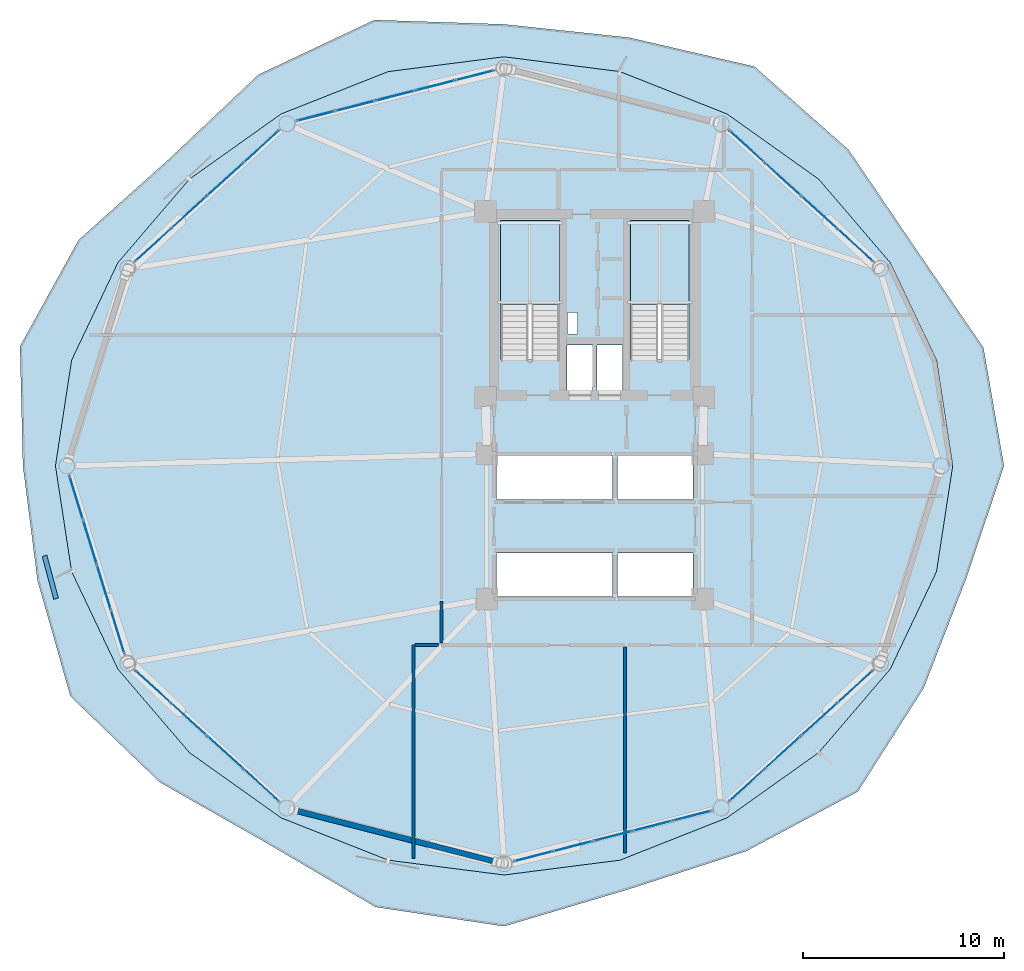
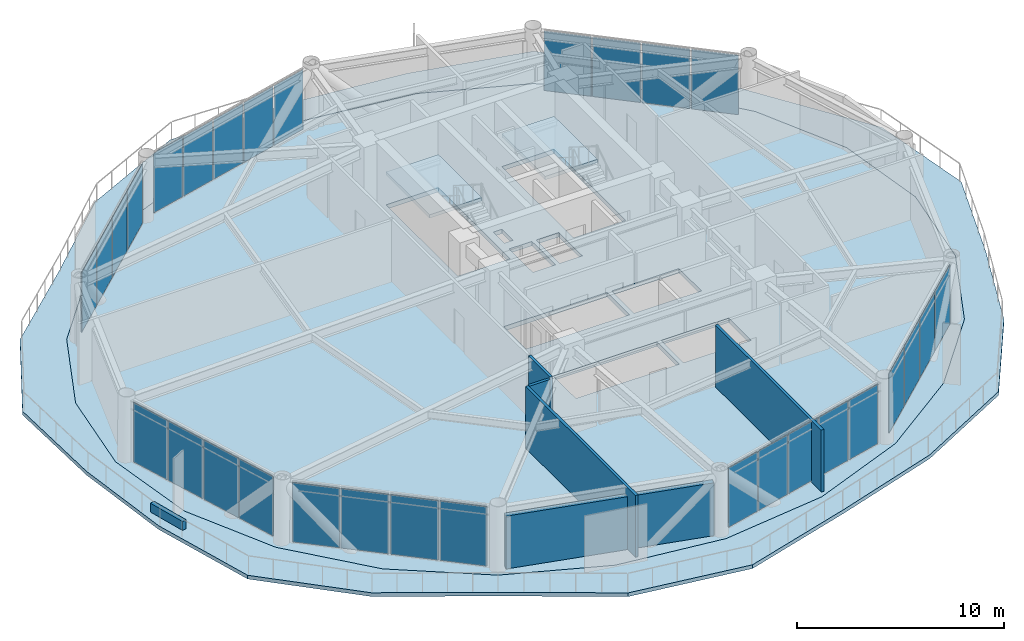
# One storey, part 20 of 26: 30 plates, 6 walls, 4 slabs, 9 elements without a shape of their own.
"""IFC4 building model written with IfcOpenShell, lengths in metres."""

from ifc_helpers import new_model, si_unit, direction, frame, frame_2d, origin, origin_2d, place, context, subcontext, project, spatial, polyline, rectangle, outline, extrude, source, transform, mapped, material, layer, layer_set, type_object, type_shapes, element, aggregate, save


model = new_model("IFC4")

# Units and contexts
model_context = context("Model", 3, precision=1e-05, world=origin(), true_north=direction((0.0, 1.0)))
body_context = subcontext(model_context, "Body", "Model", "MODEL_VIEW")
ifc_project = project(units=[si_unit("LENGTHUNIT", "METRE"), si_unit("AREAUNIT", "SQUARE_METRE"), si_unit("VOLUMEUNIT", "CUBIC_METRE"), si_unit("PLANEANGLEUNIT", "RADIAN"), si_unit("MASSUNIT", "GRAM", prefix="KILO")], contexts=[model_context])

# Site, building, storey
site_placement = place(None, origin())
site = spatial("IfcSite", under=ifc_project, at=site_placement, CompositionType="ELEMENT")
building_placement = place(site_placement, origin())
building = spatial("IfcBuilding", under=site, at=building_placement, Name="Varnakorn Sky Granary", CompositionType="ELEMENT")
storey_placement = place(building_placement, frame((0.0, 0.0, 95.39990234375)))
storey = spatial("IfcBuildingStorey", under=building, at=storey_placement, Name="L23", CompositionType="ELEMENT", Elevation=95.39990234375)

# Stair, slab
ifc_material_1 = material(Name="Concrete C40/50", Category="concrete")
stair_type = type_object("IfcStairType", Name="ST-MAIN-ASSEMBLY", PredefinedType="HALF_TURN_STAIR", material=ifc_material_1)
stair_1_placement = place(storey_placement, origin())
stair_1 = element("IfcStair", 1, at=stair_1_placement, inside=storey, type_object=stair_type, Name="L23 Protected Exit Stair ST-1", PredefinedType="HALF_TURN_STAIR")
ifc_layer_1 = layer(ifc_material_1, 0.199951171875, Name="Concrete C40/50")
ifc_layer_set_1 = layer_set([ifc_layer_1], Name="Concrete C40/50")
slab_type_1 = type_object("IfcSlabType", Name="ST-MAIN-LAND", PredefinedType="LANDING", material=ifc_layer_set_1)
slab_1_placement = place(storey_placement, frame((0.0, 0.0, 1.75)))
slab_1 = element("IfcSlab", 2, at=slab_1_placement, type_object=slab_type_1, Name="ST-1 landing 1", PredefinedType="LANDING", context=body_context, shape_type="SweptSolid", body=[
    extrude(outline(polyline([(1.239990234375, 8.0), (1.239990234375, 12.179931640625), (-1.669921875, 12.179931640625), (-1.669921875, 8.0), (1.239990234375, 8.0)])), origin(), (0.0, 0.0, 1.0), 0.2001953125),
])
aggregate(stair_1, [slab_1])

stair_2_placement = place(storey_placement, origin())
stair_2 = element("IfcStair", 3, at=stair_2_placement, inside=storey, type_object=stair_type, Name="L23 Protected Exit Stair ST-2", PredefinedType="HALF_TURN_STAIR")
slab_2_placement = place(storey_placement, frame((0.0, 0.0, 1.75)))
slab_2 = element("IfcSlab", 4, at=slab_2_placement, type_object=slab_type_1, Name="ST-2 landing 1", PredefinedType="LANDING", context=body_context, shape_type="SweptSolid", body=[
    extrude(outline(polyline([(7.679931640625, 8.0), (7.679931640625, 12.179931640625), (4.77001953125, 12.179931640625), (4.77001953125, 8.0), (7.679931640625, 8.0)])), origin(), (0.0, 0.0, 1.0), 0.2001953125),
])
aggregate(stair_2, [slab_2])

# Slabs
ifc_material_2 = material(Name="Precast concrete C40/50", Category="concrete")
ifc_layer_2 = layer(ifc_material_2, 0.219970703125, Name="Precast concrete C40/50")
ifc_layer_set_2 = layer_set([ifc_layer_2], Name="Precast concrete C40/50")
slab_type_2 = type_object("IfcSlabType", Name="ST-SL-DECK-220", PredefinedType="FLOOR", material=ifc_layer_set_2)
slab_3_placement = place(storey_placement, frame((0.0, 0.0, -0.219970703125)))
element("IfcSlab", 5, at=slab_3_placement, inside=storey, type_object=slab_type_2, Name="Wavy Sky-Farm Balcony Deck L23", PredefinedType="FLOOR", context=body_context, shape_type="SweptSolid", body=[
    extrude(outline(polyline([(23.313720703125, 0.0), (22.292724609375, 5.867431640625), (18.916015625, 10.80615234375), (15.588623046875, 15.701416015625), (10.9248046875, 19.8212890625), (4.704345703125, 21.260009765625), (-1.5, 21.918212890625), (-7.937744140625, 22.130859375), (-13.69140625, 19.4169921875), (-18.1220703125, 15.234619140625), (-22.6162109375, 11.21044921875), (-25.52587890625, 5.929931640625), (-25.38037109375, 0.0), (-24.6552734375, -5.696533203125), (-23.020263671875, -11.44384765625), (-18.588623046875, -15.701416015625), (-13.287109375, -18.717041015625), (-7.875244140625, -21.8974609375), (-1.5, -22.851806640625), (4.641845703125, -21.026611328125), (10.5205078125, -19.12109375), (16.055419921875, -16.16796875), (19.3203125, -11.03955078125), (21.421875, -5.634033203125), (23.313720703125, 0.0)]), holes=[polyline([(20.76708984375, 0.0), (19.96484375, 5.24365234375), (17.6669921875, 10.0849609375), (14.117919921875, 14.23046875), (9.56591796875, 17.4677734375), (4.25146484375, 19.569580078125), (-1.5, 20.304931640625), (-7.25146484375, 19.569580078125), (-12.56591796875, 17.4677734375), (-17.117919921875, 14.23046875), (-20.6669921875, 10.0849609375), (-22.96484375, 5.24365234375), (-23.76708984375, 0.0), (-22.96484375, -5.24365234375), (-20.6669921875, -10.0849609375), (-17.117919921875, -14.23046875), (-12.56591796875, -17.4677734375), (-7.25146484375, -19.569580078125), (-1.5, -20.304931640625), (4.25146484375, -19.569580078125), (9.56591796875, -17.4677734375), (14.117919921875, -14.23046875), (17.6669921875, -10.0849609375), (19.96484375, -5.24365234375), (20.76708984375, 0.0)])]), origin(), (0.0, 0.0, 1.0), 0.219970703125),
])
ifc_material_3 = material(Name="Concrete C50/60", Category="concrete")
ifc_layer_3 = layer(ifc_material_3, 0.260009765625, Name="Concrete C50/60")
ifc_layer_set_3 = layer_set([ifc_layer_3], Name="Concrete C50/60")
slab_type_3 = type_object("IfcSlabType", Name="ST-SL-TWR-260", PredefinedType="FLOOR", material=ifc_layer_set_3)
slab_4_placement = place(storey_placement, frame((0.0, 0.0, -0.260009765625)))
element("IfcSlab", 6, at=slab_4_placement, inside=storey, type_object=slab_type_3, Name="Level L23 Structural Floor Slab", PredefinedType="FLOOR", context=body_context, shape_type="SweptSolid", body=[
    extrude(outline(polyline([(20.76708984375, 0.0), (19.96484375, 5.24365234375), (17.6669921875, 10.0849609375), (14.117919921875, 14.23046875), (9.56591796875, 17.4677734375), (4.25146484375, 19.569580078125), (-1.5, 20.304931640625), (-7.25146484375, 19.569580078125), (-12.56591796875, 17.4677734375), (-17.117919921875, 14.23046875), (-20.6669921875, 10.0849609375), (-22.96484375, 5.24365234375), (-23.76708984375, 0.0), (-22.96484375, -5.24365234375), (-20.6669921875, -10.0849609375), (-17.117919921875, -14.23046875), (-12.56591796875, -17.4677734375), (-7.25146484375, -19.569580078125), (-1.5, -20.304931640625), (4.25146484375, -19.569580078125), (9.56591796875, -17.4677734375), (14.117919921875, -14.23046875), (17.6669921875, -10.0849609375), (19.96484375, -5.24365234375), (20.76708984375, 0.0)]), holes=[polyline([(1.239990234375, 5.27490234375), (1.239990234375, 12.179931640625), (-1.669921875, 12.179931640625), (-1.669921875, 5.27490234375), (1.239990234375, 5.27490234375)]), polyline([(7.679931640625, 5.27490234375), (7.679931640625, 12.179931640625), (4.77001953125, 12.179931640625), (4.77001953125, 5.27490234375), (7.679931640625, 5.27490234375)]), polyline([(1.659912109375, 6.550048828125), (2.14990234375, 6.550048828125), (2.14990234375, 7.6201171875), (1.659912109375, 7.6201171875), (1.659912109375, 6.550048828125)]), polyline([(1.6201171875, 3.739990234375), (2.8798828125, 3.739990234375), (2.8798828125, 6.010009765625), (1.6201171875, 6.010009765625), (1.6201171875, 3.739990234375)]), polyline([(3.1201171875, 3.739990234375), (4.3798828125, 3.739990234375), (4.3798828125, 6.010009765625), (3.1201171875, 6.010009765625), (3.1201171875, 3.739990234375)]), polyline([(-1.8798828125, -1.679931640625), (3.8798828125, -1.679931640625), (3.8798828125, 0.47998046875), (-1.8798828125, 0.47998046875), (-1.8798828125, -1.679931640625)]), polyline([(4.1201171875, -1.679931640625), (7.8798828125, -1.679931640625), (7.8798828125, 0.47998046875), (4.1201171875, 0.47998046875), (4.1201171875, -1.679931640625)]), polyline([(-1.8798828125, -6.47998046875), (3.8798828125, -6.47998046875), (3.8798828125, -4.320068359375), (-1.8798828125, -4.320068359375), (-1.8798828125, -6.47998046875)]), polyline([(4.1201171875, -6.47998046875), (7.8798828125, -6.47998046875), (7.8798828125, -4.320068359375), (4.1201171875, -4.320068359375), (4.1201171875, -6.47998046875)])]), origin(), (0.0, 0.0, 1.0), 0.260009765625),
])

# Curtain wall, plates
ifc_material_4 = material(Name="Anodised Bronze Aluminium Alloy 6063-T6", Category="aluminium")
ifc_layer_4 = layer(ifc_material_4, 0.18994140625, Name="Anodised Bronze Aluminium Alloy 6063-T6")
ifc_layer_set_4 = layer_set([ifc_layer_4], Name="Anodised Bronze Aluminium Alloy 6063-T6")
curtain_wall_type = type_object("IfcCurtainWallType", Name="CW-FRM-1", PredefinedType="USERDEFINED", material=ifc_layer_set_4)
curtain_wall_1_placement = place(storey_placement, origin())
curtain_wall_1 = element("IfcCurtainWall", 7, at=curtain_wall_1_placement, inside=storey, type_object=curtain_wall_type, Name="Unitised Curtain Wall CW3 CW-L23-B02", ObjectType="CURTAIN WALL", PredefinedType="USERDEFINED")
ifc_material_5 = material(Name="Low-E Tinted Laminated Glass", Category="glass")
ifc_layer_5 = layer(ifc_material_5, 0.028076171875, Name="Low-E Tinted Laminated Glass")
ifc_layer_set_5 = layer_set([ifc_layer_5], Name="Low-E Tinted Laminated Glass")
plate_type = type_object("IfcPlateType", Name="CW-FRM-1-PNL", PredefinedType="CURTAIN_PANEL")
shared_shape_1 = source(origin(), body_context, "Body", "SweptSolid", [
    extrude(rectangle(XDim=2.330810546875, YDim=0.028076171875, at=origin_2d()), origin(), (0.0, 0.0, 1.0), 3.5),
])
plate_1_placement = place(storey_placement, frame((10.55029296875, 15.8466796875, 0.070068359375), z_axis=(0.0, 0.0, 1.0), x_axis=(0.739941002246, -0.67267177226, 0.0)))
plate_1 = element("IfcPlate", 8, at=plate_1_placement, type_object=plate_type, material=ifc_layer_set_5, Name="CW3 vision glazing unit 1.1", PredefinedType="CURTAIN_PANEL", context=body_context, shape_type="MappedRepresentation", body=[
    mapped(shared_shape_1, transform((0.0, 0.0, 0.0), x_axis=(1.0, 0.0, 0.0), y_axis=(0.0, 1.0, 0.0), z_axis=(0.0, 0.0, 1.0), scale=1.0)),
])
ifc_material_6 = material(Name="Opaque Insulated Aluminium Shadow-Box Unit", Category="aluminium")
ifc_layer_6 = layer(ifc_material_6, 0.028076171875, Name="Opaque Insulated Aluminium Shadow-Box Unit")
ifc_layer_set_6 = layer_set([ifc_layer_6], Name="Opaque Insulated Aluminium Shadow-Box Unit")
plate_2_placement = place(storey_placement, frame((15.931396484375, 10.954833984375, 0.070068359375), z_axis=(0.0, 0.0, 1.0), x_axis=(0.739941002246, -0.67267177226, 0.0)))
plate_2 = element("IfcPlate", 9, at=plate_2_placement, type_object=plate_type, material=ifc_layer_set_6, Name="CW3 opaque insulated shadow-box unit 4.1", PredefinedType="CURTAIN_PANEL", context=body_context, shape_type="MappedRepresentation", body=[
    mapped(shared_shape_1, transform((0.0, 0.0, 0.0), x_axis=(1.0, 0.0, 0.0), y_axis=(0.0, 1.0, 0.0), z_axis=(0.0, 0.0, 1.0), scale=1.0)),
])

curtain_wall_2_placement = place(storey_placement, origin())
curtain_wall_2 = element("IfcCurtainWall", 10, at=curtain_wall_2_placement, inside=storey, type_object=curtain_wall_type, Name="Unitised Curtain Wall CW3 CW-L23-B05", ObjectType="CURTAIN WALL", PredefinedType="USERDEFINED")
plate_3_placement = place(storey_placement, frame((-18.931396484375, 10.954833984375, 0.070068359375), z_axis=(0.0, 0.0, 1.0), x_axis=(0.739941002246, 0.67267177226, 0.0)))
plate_3 = element("IfcPlate", 11, at=plate_3_placement, type_object=plate_type, material=ifc_layer_set_6, Name="CW3 opaque insulated shadow-box unit 1.1", PredefinedType="CURTAIN_PANEL", context=body_context, shape_type="MappedRepresentation", body=[
    mapped(shared_shape_1, transform((0.0, 0.0, 0.0), x_axis=(1.0, 0.0, 0.0), y_axis=(0.0, 1.0, 0.0), z_axis=(0.0, 0.0, 1.0), scale=1.0)),
])
plate_4_placement = place(storey_placement, frame((-13.55029296875, 15.8466796875, 0.070068359375), z_axis=(0.0, 0.0, 1.0), x_axis=(0.739941002246, 0.67267177226, 0.0)))
plate_4 = element("IfcPlate", 12, at=plate_4_placement, type_object=plate_type, material=ifc_layer_set_5, Name="CW3 vision glazing unit 4.1", PredefinedType="CURTAIN_PANEL", context=body_context, shape_type="MappedRepresentation", body=[
    mapped(shared_shape_1, transform((0.0, 0.0, 0.0), x_axis=(1.0, 0.0, 0.0), y_axis=(0.0, 1.0, 0.0), z_axis=(0.0, 0.0, 1.0), scale=1.0)),
])

curtain_wall_3_placement = place(storey_placement, origin())
curtain_wall_3 = element("IfcCurtainWall", 13, at=curtain_wall_3_placement, inside=storey, type_object=curtain_wall_type, Name="Unitised Curtain Wall CW3 CW-L23-B08", ObjectType="CURTAIN WALL", PredefinedType="USERDEFINED")
plate_5_placement = place(storey_placement, frame((-13.55029296875, -15.8466796875, 0.070068359375), z_axis=(0.0, 0.0, 1.0), x_axis=(-0.739941002246, 0.67267177226, 0.0)))
plate_5 = element("IfcPlate", 14, at=plate_5_placement, type_object=plate_type, material=ifc_layer_set_5, Name="CW3 vision glazing unit 1.1", PredefinedType="CURTAIN_PANEL", context=body_context, shape_type="MappedRepresentation", body=[
    mapped(shared_shape_1, transform((0.0, 0.0, 0.0), x_axis=(1.0, 0.0, 0.0), y_axis=(0.0, 1.0, 0.0), z_axis=(0.0, 0.0, 1.0), scale=1.0)),
])
plate_6_placement = place(storey_placement, frame((-18.931396484375, -10.954833984375, 0.070068359375), z_axis=(0.0, 0.0, 1.0), x_axis=(-0.739941002246, 0.67267177226, 0.0)))
plate_6 = element("IfcPlate", 15, at=plate_6_placement, type_object=plate_type, material=ifc_layer_set_6, Name="CW3 opaque insulated shadow-box unit 4.1", PredefinedType="CURTAIN_PANEL", context=body_context, shape_type="MappedRepresentation", body=[
    mapped(shared_shape_1, transform((0.0, 0.0, 0.0), x_axis=(1.0, 0.0, 0.0), y_axis=(0.0, 1.0, 0.0), z_axis=(0.0, 0.0, 1.0), scale=1.0)),
])

curtain_wall_4_placement = place(storey_placement, origin())
curtain_wall_4 = element("IfcCurtainWall", 16, at=curtain_wall_4_placement, inside=storey, type_object=curtain_wall_type, Name="Unitised Curtain Wall CW3 CW-L23-B11", ObjectType="CURTAIN WALL", PredefinedType="USERDEFINED")
plate_7_placement = place(storey_placement, frame((15.931396484375, -10.954833984375, 0.070068359375), z_axis=(0.0, 0.0, 1.0), x_axis=(-0.739941002246, -0.67267177226, 0.0)))
plate_7 = element("IfcPlate", 17, at=plate_7_placement, type_object=plate_type, material=ifc_layer_set_6, Name="CW3 opaque insulated shadow-box unit 1.1", PredefinedType="CURTAIN_PANEL", context=body_context, shape_type="MappedRepresentation", body=[
    mapped(shared_shape_1, transform((0.0, 0.0, 0.0), x_axis=(1.0, 0.0, 0.0), y_axis=(0.0, 1.0, 0.0), z_axis=(0.0, 0.0, 1.0), scale=1.0)),
])
plate_8_placement = place(storey_placement, frame((10.55029296875, -15.8466796875, 0.070068359375), z_axis=(0.0, 0.0, 1.0), x_axis=(-0.739941002246, -0.67267177226, 0.0)))
plate_8 = element("IfcPlate", 18, at=plate_8_placement, type_object=plate_type, material=ifc_layer_set_5, Name="CW3 vision glazing unit 4.1", PredefinedType="CURTAIN_PANEL", context=body_context, shape_type="MappedRepresentation", body=[
    mapped(shared_shape_1, transform((0.0, 0.0, 0.0), x_axis=(1.0, 0.0, 0.0), y_axis=(0.0, 1.0, 0.0), z_axis=(0.0, 0.0, 1.0), scale=1.0)),
])

# Plate
shared_shape_2 = source(origin(), body_context, "Body", "SweptSolid", [
    extrude(rectangle(XDim=2.36572265625, YDim=0.028076171875, at=origin_2d()), origin(), (0.0, 0.0, 1.0), 3.5),
])
plate_9_placement = place(storey_placement, frame((12.339599609375, 14.219970703125, 0.070068359375), z_axis=(0.0, 0.0, 1.0), x_axis=(0.739941002246, -0.67267177226, 0.0)))
plate_9 = element("IfcPlate", 19, at=plate_9_placement, type_object=plate_type, material=ifc_layer_set_5, Name="CW3 vision glazing unit 2.1", PredefinedType="CURTAIN_PANEL", context=body_context, shape_type="MappedRepresentation", body=[
    mapped(shared_shape_2, transform((0.0, 0.0, 0.0), x_axis=(1.0, 0.0, 0.0), y_axis=(0.0, 1.0, 0.0), z_axis=(0.0, 0.0, 1.0), scale=1.0)),
])

plate_10_placement = place(storey_placement, frame((14.141845703125, 12.58154296875, 0.070068359375), z_axis=(0.0, 0.0, 1.0), x_axis=(0.739941002246, -0.67267177226, 0.0)))
plate_10 = element("IfcPlate", 20, at=plate_10_placement, type_object=plate_type, material=ifc_layer_set_6, Name="CW3 opaque insulated shadow-box unit 3.1", PredefinedType="CURTAIN_PANEL", context=body_context, shape_type="MappedRepresentation", body=[
    mapped(shared_shape_2, transform((0.0, 0.0, 0.0), x_axis=(1.0, 0.0, 0.0), y_axis=(0.0, 1.0, 0.0), z_axis=(0.0, 0.0, 1.0), scale=1.0)),
])

aggregate(curtain_wall_1, [plate_1, plate_9, plate_10, plate_2])

plate_11_placement = place(storey_placement, frame((-17.141845703125, 12.58154296875, 0.070068359375), z_axis=(0.0, 0.0, 1.0), x_axis=(0.739941002246, 0.67267177226, 0.0)))
plate_11 = element("IfcPlate", 21, at=plate_11_placement, type_object=plate_type, material=ifc_layer_set_6, Name="CW3 opaque insulated shadow-box unit 2.1", PredefinedType="CURTAIN_PANEL", context=body_context, shape_type="MappedRepresentation", body=[
    mapped(shared_shape_2, transform((0.0, 0.0, 0.0), x_axis=(1.0, 0.0, 0.0), y_axis=(0.0, 1.0, 0.0), z_axis=(0.0, 0.0, 1.0), scale=1.0)),
])

plate_12_placement = place(storey_placement, frame((-15.339599609375, 14.219970703125, 0.070068359375), z_axis=(0.0, 0.0, 1.0), x_axis=(0.739941002246, 0.67267177226, 0.0)))
plate_12 = element("IfcPlate", 22, at=plate_12_placement, type_object=plate_type, material=ifc_layer_set_5, Name="CW3 vision glazing unit 3.1", PredefinedType="CURTAIN_PANEL", context=body_context, shape_type="MappedRepresentation", body=[
    mapped(shared_shape_2, transform((0.0, 0.0, 0.0), x_axis=(1.0, 0.0, 0.0), y_axis=(0.0, 1.0, 0.0), z_axis=(0.0, 0.0, 1.0), scale=1.0)),
])

aggregate(curtain_wall_2, [plate_3, plate_11, plate_12, plate_4])

plate_13_placement = place(storey_placement, frame((-15.339599609375, -14.219970703125, 0.070068359375), z_axis=(0.0, 0.0, 1.0), x_axis=(-0.739941002246, 0.67267177226, 0.0)))
plate_13 = element("IfcPlate", 23, at=plate_13_placement, type_object=plate_type, material=ifc_layer_set_5, Name="CW3 vision glazing unit 2.1", PredefinedType="CURTAIN_PANEL", context=body_context, shape_type="MappedRepresentation", body=[
    mapped(shared_shape_2, transform((0.0, 0.0, 0.0), x_axis=(1.0, 0.0, 0.0), y_axis=(0.0, 1.0, 0.0), z_axis=(0.0, 0.0, 1.0), scale=1.0)),
])

plate_14_placement = place(storey_placement, frame((-17.141845703125, -12.58154296875, 0.070068359375), z_axis=(0.0, 0.0, 1.0), x_axis=(-0.739941002246, 0.67267177226, 0.0)))
plate_14 = element("IfcPlate", 24, at=plate_14_placement, type_object=plate_type, material=ifc_layer_set_6, Name="CW3 opaque insulated shadow-box unit 3.1", PredefinedType="CURTAIN_PANEL", context=body_context, shape_type="MappedRepresentation", body=[
    mapped(shared_shape_2, transform((0.0, 0.0, 0.0), x_axis=(1.0, 0.0, 0.0), y_axis=(0.0, 1.0, 0.0), z_axis=(0.0, 0.0, 1.0), scale=1.0)),
])

aggregate(curtain_wall_3, [plate_5, plate_13, plate_14, plate_6])

plate_15_placement = place(storey_placement, frame((14.141845703125, -12.58154296875, 0.070068359375), z_axis=(0.0, 0.0, 1.0), x_axis=(-0.739941002246, -0.67267177226, 0.0)))
plate_15 = element("IfcPlate", 25, at=plate_15_placement, type_object=plate_type, material=ifc_layer_set_6, Name="CW3 opaque insulated shadow-box unit 2.1", PredefinedType="CURTAIN_PANEL", context=body_context, shape_type="MappedRepresentation", body=[
    mapped(shared_shape_2, transform((0.0, 0.0, 0.0), x_axis=(1.0, 0.0, 0.0), y_axis=(0.0, 1.0, 0.0), z_axis=(0.0, 0.0, 1.0), scale=1.0)),
])

plate_16_placement = place(storey_placement, frame((12.339599609375, -14.219970703125, 0.070068359375), z_axis=(0.0, 0.0, 1.0), x_axis=(-0.739941002246, -0.67267177226, 0.0)))
plate_16 = element("IfcPlate", 26, at=plate_16_placement, type_object=plate_type, material=ifc_layer_set_5, Name="CW3 vision glazing unit 3.1", PredefinedType="CURTAIN_PANEL", context=body_context, shape_type="MappedRepresentation", body=[
    mapped(shared_shape_2, transform((0.0, 0.0, 0.0), x_axis=(1.0, 0.0, 0.0), y_axis=(0.0, 1.0, 0.0), z_axis=(0.0, 0.0, 1.0), scale=1.0)),
])

aggregate(curtain_wall_4, [plate_7, plate_15, plate_16, plate_8])

# Curtain wall, plates
curtain_wall_5_placement = place(storey_placement, origin())
curtain_wall_5 = element("IfcCurtainWall", 27, at=curtain_wall_5_placement, inside=storey, type_object=curtain_wall_type, Name="Unitised Curtain Wall CW3 CW-L23-B04", ObjectType="CURTAIN WALL", PredefinedType="USERDEFINED")
shared_shape_3 = source(origin(), body_context, "Body", "SweptSolid", [
    extrude(rectangle(XDim=1.936279296875, YDim=0.028076171875, at=origin_2d()), origin(), (0.0, 0.0, 1.0), 3.5),
])
plate_17_placement = place(storey_placement, frame((-10.83349609375, 17.36474609375, 0.070068359375), z_axis=(0.0, 0.0, 1.0), x_axis=(0.968734062443, 0.248101423339, 0.0)))
plate_17 = element("IfcPlate", 28, at=plate_17_placement, type_object=plate_type, material=ifc_layer_set_5, Name="CW3 vision glazing unit 1.1", PredefinedType="CURTAIN_PANEL", context=body_context, shape_type="MappedRepresentation", body=[
    mapped(shared_shape_3, transform((0.0, 0.0, 0.0), x_axis=(1.0, 0.0, 0.0), y_axis=(0.0, 1.0, 0.0), z_axis=(0.0, 0.0, 1.0), scale=1.0)),
])
plate_18_placement = place(storey_placement, frame((-2.95751953125, 19.3818359375, 0.070068359375), z_axis=(0.0, 0.0, 1.0), x_axis=(0.968734062443, 0.248101423339, 0.0)))
plate_18 = element("IfcPlate", 29, at=plate_18_placement, type_object=plate_type, material=ifc_layer_set_6, Name="CW3 opaque insulated shadow-box unit 5.1", PredefinedType="CURTAIN_PANEL", context=body_context, shape_type="MappedRepresentation", body=[
    mapped(shared_shape_3, transform((0.0, 0.0, 0.0), x_axis=(1.0, 0.0, 0.0), y_axis=(0.0, 1.0, 0.0), z_axis=(0.0, 0.0, 1.0), scale=1.0)),
])

curtain_wall_6_placement = place(storey_placement, origin())
curtain_wall_6 = element("IfcCurtainWall", 30, at=curtain_wall_6_placement, inside=storey, type_object=curtain_wall_type, Name="Unitised Curtain Wall CW3 CW-L23-B10", ObjectType="CURTAIN WALL", PredefinedType="USERDEFINED")
plate_19_placement = place(storey_placement, frame((7.83349609375, -17.36474609375, 0.070068359375), z_axis=(0.0, 0.0, 1.0), x_axis=(-0.968734062443, -0.248101423339, 0.0)))
plate_19 = element("IfcPlate", 31, at=plate_19_placement, type_object=plate_type, material=ifc_layer_set_5, Name="CW3 vision glazing unit 1.1", PredefinedType="CURTAIN_PANEL", context=body_context, shape_type="MappedRepresentation", body=[
    mapped(shared_shape_3, transform((0.0, 0.0, 0.0), x_axis=(1.0, 0.0, 0.0), y_axis=(0.0, 1.0, 0.0), z_axis=(0.0, 0.0, 1.0), scale=1.0)),
])
plate_20_placement = place(storey_placement, frame((-0.04248046875, -19.3818359375, 0.070068359375), z_axis=(0.0, 0.0, 1.0), x_axis=(-0.968734062443, -0.248101423339, 0.0)))
plate_20 = element("IfcPlate", 32, at=plate_20_placement, type_object=plate_type, material=ifc_layer_set_6, Name="CW3 opaque insulated shadow-box unit 5.1", PredefinedType="CURTAIN_PANEL", context=body_context, shape_type="MappedRepresentation", body=[
    mapped(shared_shape_3, transform((0.0, 0.0, 0.0), x_axis=(1.0, 0.0, 0.0), y_axis=(0.0, 1.0, 0.0), z_axis=(0.0, 0.0, 1.0), scale=1.0)),
])

# Plate
shared_shape_4 = source(origin(), body_context, "Body", "SweptSolid", [
    extrude(rectangle(XDim=1.97119140625, YDim=0.028076171875, at=origin_2d()), origin(), (0.0, 0.0, 1.0), 3.5),
])
plate_21_placement = place(storey_placement, frame((-8.873046875, 17.86669921875, 0.070068359375), z_axis=(0.0, 0.0, 1.0), x_axis=(0.968734062443, 0.248101423339, 0.0)))
plate_21 = element("IfcPlate", 33, at=plate_21_placement, type_object=plate_type, material=ifc_layer_set_5, Name="CW3 vision glazing unit 2.1", PredefinedType="CURTAIN_PANEL", context=body_context, shape_type="MappedRepresentation", body=[
    mapped(shared_shape_4, transform((0.0, 0.0, 0.0), x_axis=(1.0, 0.0, 0.0), y_axis=(0.0, 1.0, 0.0), z_axis=(0.0, 0.0, 1.0), scale=1.0)),
])

plate_22_placement = place(storey_placement, frame((-6.8955078125, 18.373291015625, 0.070068359375), z_axis=(0.0, 0.0, 1.0), x_axis=(0.968734062443, 0.248101423339, 0.0)))
plate_22 = element("IfcPlate", 34, at=plate_22_placement, type_object=plate_type, material=ifc_layer_set_5, Name="CW3 vision glazing unit 3.1", PredefinedType="CURTAIN_PANEL", context=body_context, shape_type="MappedRepresentation", body=[
    mapped(shared_shape_4, transform((0.0, 0.0, 0.0), x_axis=(1.0, 0.0, 0.0), y_axis=(0.0, 1.0, 0.0), z_axis=(0.0, 0.0, 1.0), scale=1.0)),
])

plate_23_placement = place(storey_placement, frame((-4.91796875, 18.879638671875, 0.070068359375), z_axis=(0.0, 0.0, 1.0), x_axis=(0.968734062443, 0.248101423339, 0.0)))
plate_23 = element("IfcPlate", 35, at=plate_23_placement, type_object=plate_type, material=ifc_layer_set_6, Name="CW3 opaque insulated shadow-box unit 4.1", PredefinedType="CURTAIN_PANEL", context=body_context, shape_type="MappedRepresentation", body=[
    mapped(shared_shape_4, transform((0.0, 0.0, 0.0), x_axis=(1.0, 0.0, 0.0), y_axis=(0.0, 1.0, 0.0), z_axis=(0.0, 0.0, 1.0), scale=1.0)),
])

aggregate(curtain_wall_5, [plate_17, plate_21, plate_22, plate_23, plate_18])

plate_24_placement = place(storey_placement, frame((5.873046875, -17.86669921875, 0.070068359375), z_axis=(0.0, 0.0, 1.0), x_axis=(-0.968734062443, -0.248101423339, 0.0)))
plate_24 = element("IfcPlate", 36, at=plate_24_placement, type_object=plate_type, material=ifc_layer_set_5, Name="CW3 vision glazing unit 2.1", PredefinedType="CURTAIN_PANEL", context=body_context, shape_type="MappedRepresentation", body=[
    mapped(shared_shape_4, transform((0.0, 0.0, 0.0), x_axis=(1.0, 0.0, 0.0), y_axis=(0.0, 1.0, 0.0), z_axis=(0.0, 0.0, 1.0), scale=1.0)),
])

plate_25_placement = place(storey_placement, frame((3.8955078125, -18.373291015625, 0.070068359375), z_axis=(0.0, 0.0, 1.0), x_axis=(-0.968734062443, -0.248101423339, 0.0)))
plate_25 = element("IfcPlate", 37, at=plate_25_placement, type_object=plate_type, material=ifc_layer_set_5, Name="CW3 vision glazing unit 3.1", PredefinedType="CURTAIN_PANEL", context=body_context, shape_type="MappedRepresentation", body=[
    mapped(shared_shape_4, transform((0.0, 0.0, 0.0), x_axis=(1.0, 0.0, 0.0), y_axis=(0.0, 1.0, 0.0), z_axis=(0.0, 0.0, 1.0), scale=1.0)),
])

plate_26_placement = place(storey_placement, frame((1.91796875, -18.879638671875, 0.070068359375), z_axis=(0.0, 0.0, 1.0), x_axis=(-0.968734062443, -0.248101423339, 0.0)))
plate_26 = element("IfcPlate", 38, at=plate_26_placement, type_object=plate_type, material=ifc_layer_set_6, Name="CW3 opaque insulated shadow-box unit 4.1", PredefinedType="CURTAIN_PANEL", context=body_context, shape_type="MappedRepresentation", body=[
    mapped(shared_shape_4, transform((0.0, 0.0, 0.0), x_axis=(1.0, 0.0, 0.0), y_axis=(0.0, 1.0, 0.0), z_axis=(0.0, 0.0, 1.0), scale=1.0)),
])

aggregate(curtain_wall_6, [plate_19, plate_24, plate_25, plate_26, plate_20])

# Curtain wall, plates
curtain_wall_7_placement = place(storey_placement, origin())
curtain_wall_7 = element("IfcCurtainWall", 39, at=curtain_wall_7_placement, inside=storey, type_object=curtain_wall_type, Name="Unitised Curtain Wall CW3 CW-L23-B07", ObjectType="CURTAIN WALL", PredefinedType="USERDEFINED")
shared_shape_5 = source(origin(), body_context, "Body", "SweptSolid", [
    extrude(rectangle(XDim=2.228271484375, YDim=0.028076171875, at=origin_2d()), origin(), (0.0, 0.0, 1.0), 3.5),
])
plate_27_placement = place(storey_placement, frame((-20.67724609375, -8.232666015625, 0.070068359375), z_axis=(0.0, 0.0, 1.0), x_axis=(-0.294798019037, 0.955559588917, 0.0)))
plate_27 = element("IfcPlate", 40, at=plate_27_placement, type_object=plate_type, material=ifc_layer_set_6, Name="CW3 opaque insulated shadow-box unit 1.1", PredefinedType="CURTAIN_PANEL", context=body_context, shape_type="MappedRepresentation", body=[
    mapped(shared_shape_5, transform((0.0, 0.0, 0.0), x_axis=(1.0, 0.0, 0.0), y_axis=(0.0, 1.0, 0.0), z_axis=(0.0, 0.0, 1.0), scale=1.0)),
])
plate_28_placement = place(storey_placement, frame((-22.73046875, -1.577392578125, 0.070068359375), z_axis=(0.0, 0.0, 1.0), x_axis=(-0.294798019037, 0.955559588917, 0.0)))
plate_28 = element("IfcPlate", 41, at=plate_28_placement, type_object=plate_type, material=ifc_layer_set_5, Name="CW3 vision glazing unit 4.1", PredefinedType="CURTAIN_PANEL", context=body_context, shape_type="MappedRepresentation", body=[
    mapped(shared_shape_5, transform((0.0, 0.0, 0.0), x_axis=(1.0, 0.0, 0.0), y_axis=(0.0, 1.0, 0.0), z_axis=(0.0, 0.0, 1.0), scale=1.0)),
])
shared_shape_6 = source(origin(), body_context, "Body", "SweptSolid", [
    extrude(rectangle(XDim=2.26318359375, YDim=0.028076171875, at=origin_2d()), origin(), (0.0, 0.0, 1.0), 3.5),
])
type_shapes(plate_type, [shared_shape_1, shared_shape_2, shared_shape_3, shared_shape_4, shared_shape_5, shared_shape_6])
plate_29_placement = place(storey_placement, frame((-21.35986328125, -6.019775390625, 0.070068359375), z_axis=(0.0, 0.0, 1.0), x_axis=(-0.294798019037, 0.955559588917, 0.0)))
plate_29 = element("IfcPlate", 42, at=plate_29_placement, type_object=plate_type, material=ifc_layer_set_6, Name="CW3 opaque insulated shadow-box unit 2.1", PredefinedType="CURTAIN_PANEL", context=body_context, shape_type="MappedRepresentation", body=[
    mapped(shared_shape_6, transform((0.0, 0.0, 0.0), x_axis=(1.0, 0.0, 0.0), y_axis=(0.0, 1.0, 0.0), z_axis=(0.0, 0.0, 1.0), scale=1.0)),
])
plate_30_placement = place(storey_placement, frame((-22.047607421875, -3.790283203125, 0.070068359375), z_axis=(0.0, 0.0, 1.0), x_axis=(-0.294798019037, 0.955559588917, 0.0)))
plate_30 = element("IfcPlate", 43, at=plate_30_placement, type_object=plate_type, material=ifc_layer_set_5, Name="CW3 vision glazing unit 3.1", PredefinedType="CURTAIN_PANEL", context=body_context, shape_type="MappedRepresentation", body=[
    mapped(shared_shape_6, transform((0.0, 0.0, 0.0), x_axis=(1.0, 0.0, 0.0), y_axis=(0.0, 1.0, 0.0), z_axis=(0.0, 0.0, 1.0), scale=1.0)),
])
aggregate(curtain_wall_7, [plate_27, plate_29, plate_30, plate_28])

# Walls
ifc_layer_7 = layer(ifc_material_2, 0.280029296875, Name="Precast concrete C40/50")
ifc_layer_set_7 = layer_set([ifc_layer_7], Name="Precast concrete C40/50")
wall_type_1 = type_object("IfcWallType", Name="WT-EW-CRN-280", PredefinedType="SOLIDWALL", material=ifc_layer_set_7)
wall_1_placement = place(storey_placement, frame((-1.85009765625, -19.665283203125, 0.0), z_axis=(0.0, 0.0, 1.0), x_axis=(-0.96873684182, 0.24809057076, 0.0)))
element("IfcWall", 44, at=wall_1_placement, inside=storey, type_object=wall_type_1, Name="Agritech Insulated Precast Facade Wall L23-P09", PredefinedType="SOLIDWALL", context=body_context, shape_type="SweptSolid", body=[
    extrude(rectangle(XDim=10.41650390625, YDim=0.280029296875, at=frame_2d((5.208251953125, 0.0))), origin(), (0.0, 0.0, 1.0), 3.110107421875),
])
ifc_material_7 = material(Name="Gypsum Plasterboard on Steel Stud", Category="steel")
ifc_layer_8 = layer(ifc_material_7, 0.14990234375, Name="Gypsum Plasterboard on Steel Stud")
ifc_layer_set_8 = layer_set([ifc_layer_8], Name="Gypsum Plasterboard on Steel Stud")
wall_type_2 = type_object("IfcWallType", Name="WT-PART-150", PredefinedType="PARTITIONING", material=ifc_layer_set_8)
wall_2_placement = place(storey_placement, frame((4.5, -9.0, 0.0), z_axis=(0.0, 0.0, 1.0), x_axis=(0.0, -1.0, 0.0)))
element("IfcWall", 45, at=wall_2_placement, inside=storey, type_object=wall_type_2, Name="Interior Partition Wall L23-036", PredefinedType="PARTITIONING", context=body_context, shape_type="SweptSolid", body=[
    extrude(rectangle(XDim=10.215087890625, YDim=0.14990234375, at=frame_2d((5.107421875, 0.0))), origin(), (0.0, 0.0, 1.0), 3.64013671875),
])
wall_3_placement = place(storey_placement, frame((-6.0, -19.489990234375, 0.0), z_axis=(0.0, 0.0, 1.0), x_axis=(0.0, 1.0, 0.0)))
element("IfcWall", 46, at=wall_3_placement, inside=storey, type_object=wall_type_2, Name="Interior Partition Wall L23-037", PredefinedType="PARTITIONING", context=body_context, shape_type="SweptSolid", body=[
    extrude(rectangle(XDim=10.590087890625, YDim=0.14990234375, at=frame_2d((5.294921875, 0.0))), origin(), (0.0, 0.0, 1.0), 3.64013671875),
])
wall_4_placement = place(storey_placement, frame((-5.9150390625, -8.89990234375, 0.0), z_axis=(0.0, 0.0, 1.0), x_axis=(1.0, 0.0, 0.0)))
element("IfcWall", 47, at=wall_4_placement, inside=storey, type_object=wall_type_2, Name="Interior Partition Wall L23-038", PredefinedType="PARTITIONING", context=body_context, shape_type="SweptSolid", body=[
    extrude(rectangle(XDim=1.1650390625, YDim=0.14990234375, at=frame_2d((0.58251953125, 0.0))), origin(), (0.0, 0.0, 1.0), 3.64013671875),
])
wall_5_placement = place(storey_placement, frame((-4.60009765625, -6.735107421875, 0.0), z_axis=(0.0, 0.0, 1.0), x_axis=(0.0, -1.0, 0.0)))
element("IfcWall", 48, at=wall_5_placement, inside=storey, type_object=wall_type_2, Name="Interior Partition Wall L23-041", PredefinedType="PARTITIONING", context=body_context, shape_type="SweptSolid", body=[
    extrude(rectangle(XDim=2.06494140625, YDim=0.14990234375, at=frame_2d((1.032470703125, 0.0))), origin(), (0.0, 0.0, 1.0), 3.64013671875),
])
ifc_layer_9 = layer(ifc_material_2, 0.239990234375, Name="Precast concrete C40/50")
ifc_layer_set_9 = layer_set([ifc_layer_9], Name="Precast concrete C40/50")
wall_type_3 = type_object("IfcWallType", Name="WT-WP-PLN-240", PredefinedType="PARAPET", material=ifc_layer_set_9)
wall_6_placement = place(storey_placement, frame((-24.30712890625, -4.464599609375, 0.0), z_axis=(0.0, 0.0, 1.0), x_axis=(0.258795254151, -0.965932200741, 0.0)))
element("IfcWall", 49, at=wall_6_placement, inside=storey, type_object=wall_type_3, Name="Sky-Farm Hydroponic Planter Bed PLANTER L23", PredefinedType="PARAPET", context=body_context, shape_type="SweptSolid", body=[
    extrude(rectangle(XDim=2.199951171875, YDim=0.239990234375, at=frame_2d((1.10009765625, 0.0))), origin(), (0.0, 0.0, 1.0), 0.52001953125),
])

save(model, "model.ifc")
